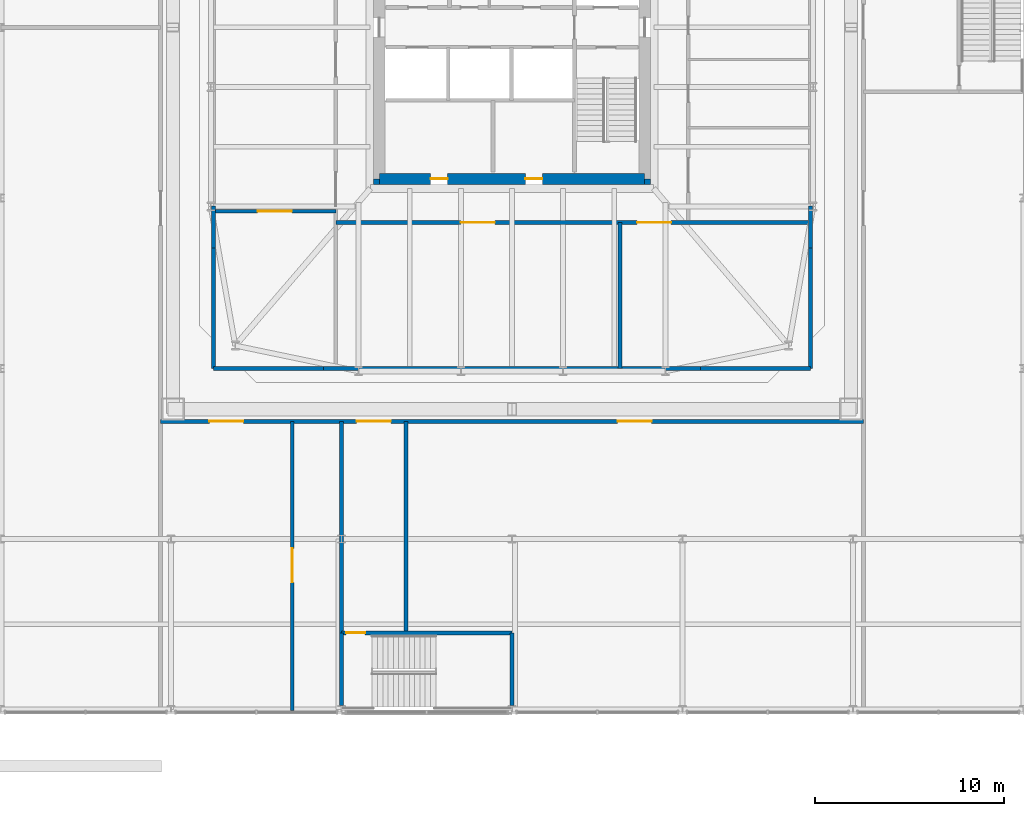
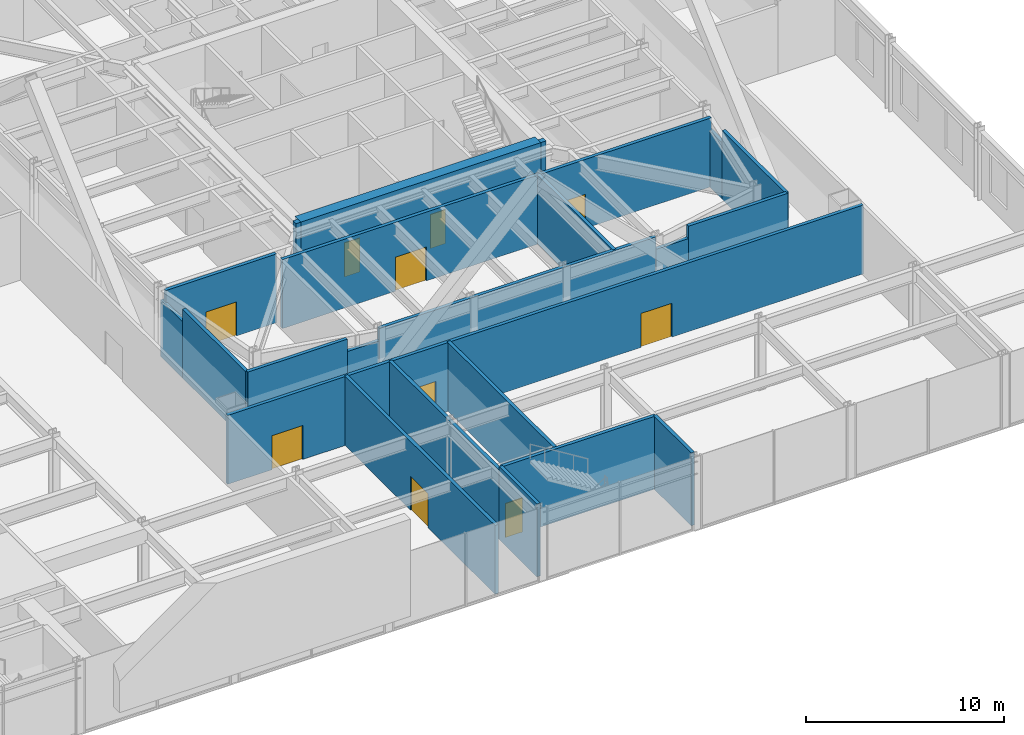
# One storey, part 24 of 32: 22 walls, 10 doors, 10 openings.
"""IFC4 building model written with IfcOpenShell, lengths in metres."""

from ifc_helpers import new_model, si_unit, direction, frame, frame_2d, origin, place, context, subcontext, project, spatial, rectangle, extrude, material, layer, layer_set, type_object, element, fill, save


model = new_model("IFC4")

# Units and contexts
model_context = context("Model", 3, precision=1e-05, world=origin(), true_north=direction((0.0, 1.0)))
body_context = subcontext(model_context, "Body", "Model", "MODEL_VIEW")
ifc_project = project(units=[si_unit("LENGTHUNIT", "METRE"), si_unit("AREAUNIT", "SQUARE_METRE"), si_unit("VOLUMEUNIT", "CUBIC_METRE"), si_unit("PLANEANGLEUNIT", "RADIAN"), si_unit("MASSUNIT", "GRAM", prefix="KILO")], contexts=[model_context])

# Site, building, storey
site_placement = place(None, origin())
site = spatial("IfcSite", under=ifc_project, at=site_placement, CompositionType="ELEMENT")
building_placement = place(site_placement, origin())
building = spatial("IfcBuilding", under=site, at=building_placement, Name="Iwan Alto Co-Living Towers", CompositionType="ELEMENT")
storey_placement = place(building_placement, frame((0.0, 0.0, 6.0)))
storey = spatial("IfcBuildingStorey", under=building, at=storey_placement, Name="L01", CompositionType="ELEMENT", Elevation=6.0)

# Wall, openings, doors
ifc_material_1 = material(Name="Concrete block masonry f*p 10 MPa", Category="masonry")
ifc_layer_1 = layer(ifc_material_1, 0.199951171875)
ifc_layer_set_1 = layer_set([ifc_layer_1], Name="PODIUM INTERNAL WALL 200")
wall_type_1 = type_object("IfcWallType", Name="PODIUM INTERNAL WALL 200", PredefinedType="SOLIDWALL", material=ifc_layer_set_1)
wall_1_placement = place(storey_placement, frame((44.449951171875, -20.800048828125, 0.0), z_axis=(0.0, 0.0, 1.0), x_axis=(1.0, 0.0, 0.0)))
wall_1 = element("IfcWall", 1, at=wall_1_placement, inside=storey, type_object=wall_type_1, Name="Partition L01", PredefinedType="SOLIDWALL", context=body_context, shape_type="SweptSolid", body=[
    extrude(rectangle(XDim=37.10009765625, YDim=0.199951171875, at=frame_2d((18.550048828125, 0.0))), origin(), (0.0, 0.0, 1.0), 4.25),
])
opening_1_placement = place(wall_1_placement, frame((2.574951171875, 0.0, 0.0)))
opening_1 = element("IfcOpeningElement", 2, at=opening_1_placement, cuts=wall_1, Name="Opening D9", PredefinedType="OPENING", context=body_context, shape_type="SweptSolid", body=[
    extrude(rectangle(XDim=1.800048828125, YDim=2.10009765625, at=frame_2d((0.89990234375, 1.050048828125))), frame((0.0, 0.10986328125, 0.0), z_axis=(0.0, -1.0, 0.0), x_axis=(1.0, 0.0, 0.0)), (0.0, 0.0, 1.0), 0.219970703125),
])
opening_2_placement = place(wall_1_placement, frame((24.125, 0.0, 0.0)))
opening_2 = element("IfcOpeningElement", 3, at=opening_2_placement, cuts=wall_1, Name="Opening D9", PredefinedType="OPENING", context=body_context, shape_type="SweptSolid", body=[
    extrude(rectangle(XDim=1.800048828125, YDim=2.10009765625, at=frame_2d((0.89990234375, 1.050048828125))), frame((0.0, 0.10986328125, 0.0), z_axis=(0.0, -1.0, 0.0), x_axis=(1.0, 0.0, 0.0)), (0.0, 0.0, 1.0), 0.219970703125),
])
opening_3_placement = place(wall_1_placement, frame((10.35009765625, 0.0, 0.0)))
opening_3 = element("IfcOpeningElement", 4, at=opening_3_placement, cuts=wall_1, Name="Opening D9", PredefinedType="OPENING", context=body_context, shape_type="SweptSolid", body=[
    extrude(rectangle(XDim=1.800048828125, YDim=2.10009765625, at=frame_2d((0.89990234375, 1.050048828125))), frame((0.0, 0.10986328125, 0.0), z_axis=(0.0, -1.0, 0.0), x_axis=(1.0, 0.0, 0.0)), (0.0, 0.0, 1.0), 0.219970703125),
])
ifc_material_2 = material(Name="Steel frame with timber leaf", Category="steel")
door_type_1 = type_object("IfcDoorType", Name="LOUNGE DOOR FD30S 1800X2100", OperationType="DOUBLE_DOOR_SINGLE_SWING", PredefinedType="DOOR", material=ifc_material_2)
door_1_placement = place(opening_1_placement, frame((1.800048828125, 0.0, 0.0), z_axis=(0.0, 0.0, 1.0), x_axis=(-1.0, 0.0, 0.0)))
door_1 = element("IfcDoor", 5, at=door_1_placement, inside=storey, type_object=door_type_1, Name="Residents' storage lockers door L01", OperationType="DOUBLE_DOOR_SINGLE_SWING", OverallHeight=2.10009765625, OverallWidth=1.800048828125, PredefinedType="DOOR", context=body_context, shape_type="SweptSolid", body=[
    extrude(rectangle(XDim=1.800048828125, YDim=2.10009765625, at=frame_2d((0.89990234375, 1.050048828125))), frame((0.0, 0.02490234375, 0.0), z_axis=(0.0, -1.0, 0.0), x_axis=(1.0, 0.0, 0.0)), (0.0, 0.0, 1.0), 0.050048828125),
])
fill(opening_1, door_1)
door_2_placement = place(opening_2_placement, frame((1.800048828125, 0.0, 0.0), z_axis=(0.0, 0.0, 1.0), x_axis=(-1.0, 0.0, 0.0)))
door_2 = element("IfcDoor", 6, at=door_2_placement, inside=storey, type_object=door_type_1, Name="Open-plan management office door L01", OperationType="DOUBLE_DOOR_SINGLE_SWING", OverallHeight=2.10009765625, OverallWidth=1.800048828125, PredefinedType="DOOR", context=body_context, shape_type="SweptSolid", body=[
    extrude(rectangle(XDim=1.800048828125, YDim=2.10009765625, at=frame_2d((0.89990234375, 1.050048828125))), frame((0.0, 0.02490234375, 0.0), z_axis=(0.0, -1.0, 0.0), x_axis=(1.0, 0.0, 0.0)), (0.0, 0.0, 1.0), 0.050048828125),
])
fill(opening_2, door_2)
door_3_placement = place(opening_3_placement, frame((1.800048828125, 0.0, 0.0), z_axis=(0.0, 0.0, 1.0), x_axis=(-1.0, 0.0, 0.0)))
door_3 = element("IfcDoor", 7, at=door_3_placement, inside=storey, type_object=door_type_1, Name="Stair lobby door L01", OperationType="DOUBLE_DOOR_SINGLE_SWING", OverallHeight=2.10009765625, OverallWidth=1.800048828125, PredefinedType="DOOR", context=body_context, shape_type="SweptSolid", body=[
    extrude(rectangle(XDim=1.800048828125, YDim=2.10009765625, at=frame_2d((0.89990234375, 1.050048828125))), frame((0.0, 0.02490234375, 0.0), z_axis=(0.0, -1.0, 0.0), x_axis=(1.0, 0.0, 0.0)), (0.0, 0.0, 1.0), 0.050048828125),
])
fill(opening_3, door_3)

# Wall
wall_2_placement = place(storey_placement, frame((47.25, -18.0, 0.0), z_axis=(0.0, 0.0, 1.0), x_axis=(1.0, 0.0, 0.0)))
element("IfcWall", 8, at=wall_2_placement, inside=storey, type_object=wall_type_1, Name="Partition L01", PredefinedType="SOLIDWALL", context=body_context, shape_type="SweptSolid", body=[
    extrude(rectangle(XDim=5.79296875, YDim=0.199951171875, at=frame_2d((2.896484375, 0.0))), origin(), (0.0, 0.0, 1.0), 4.25),
])

# Wall, openings, doors
wall_3_placement = place(storey_placement, frame((53.699951171875, -10.300048828125, 0.0), z_axis=(0.0, 0.0, 1.0), x_axis=(1.0, 0.0, 0.0)))
wall_3 = element("IfcWall", 9, at=wall_3_placement, inside=storey, type_object=wall_type_1, Name="Partition L01", PredefinedType="SOLIDWALL", context=body_context, shape_type="SweptSolid", body=[
    extrude(rectangle(XDim=25.050048828125, YDim=0.199951171875, at=frame_2d((12.52490234375, 0.0))), origin(), (0.0, 0.0, 1.0), 4.25),
])
opening_4_placement = place(wall_3_placement, frame((6.60009765625, 0.0, 0.0)))
opening_4 = element("IfcOpeningElement", 10, at=opening_4_placement, cuts=wall_3, Name="Opening D9", PredefinedType="OPENING", context=body_context, shape_type="SweptSolid", body=[
    extrude(rectangle(XDim=1.800048828125, YDim=2.10009765625, at=frame_2d((0.89990234375, 1.050048828125))), frame((0.0, 0.10986328125, 0.0), z_axis=(0.0, -1.0, 0.0), x_axis=(1.0, 0.0, 0.0)), (0.0, 0.0, 1.0), 0.219970703125),
])
opening_5_placement = place(wall_3_placement, frame((15.89990234375, 0.0, 0.0)))
opening_5 = element("IfcOpeningElement", 11, at=opening_5_placement, cuts=wall_3, Name="Opening D9", PredefinedType="OPENING", context=body_context, shape_type="SweptSolid", body=[
    extrude(rectangle(XDim=1.800048828125, YDim=2.10009765625, at=frame_2d((0.89990234375, 1.050048828125))), frame((0.0, 0.10986328125, 0.0), z_axis=(0.0, -1.0, 0.0), x_axis=(1.0, 0.0, 0.0)), (0.0, 0.0, 1.0), 0.219970703125),
])
door_4_placement = place(opening_4_placement, frame((1.800048828125, 0.0, 0.0), z_axis=(0.0, 0.0, 1.0), x_axis=(-1.0, 0.0, 0.0)))
door_4 = element("IfcDoor", 12, at=door_4_placement, inside=storey, type_object=door_type_1, Name="Co-working zone door L01", OperationType="DOUBLE_DOOR_SINGLE_SWING", OverallHeight=2.10009765625, OverallWidth=1.800048828125, PredefinedType="DOOR", context=body_context, shape_type="SweptSolid", body=[
    extrude(rectangle(XDim=1.800048828125, YDim=2.10009765625, at=frame_2d((0.89990234375, 1.050048828125))), frame((0.0, 0.02490234375, 0.0), z_axis=(0.0, -1.0, 0.0), x_axis=(1.0, 0.0, 0.0)), (0.0, 0.0, 1.0), 0.050048828125),
])
fill(opening_4, door_4)
door_5_placement = place(opening_5_placement, frame((1.800048828125, 0.0, 0.0), z_axis=(0.0, 0.0, 1.0), x_axis=(-1.0, 0.0, 0.0)))
door_5 = element("IfcDoor", 13, at=door_5_placement, inside=storey, type_object=door_type_1, Name="Meeting room door L01", OperationType="DOUBLE_DOOR_SINGLE_SWING", OverallHeight=2.10009765625, OverallWidth=1.800048828125, PredefinedType="DOOR", context=body_context, shape_type="SweptSolid", body=[
    extrude(rectangle(XDim=1.800048828125, YDim=2.10009765625, at=frame_2d((0.89990234375, 1.050048828125))), frame((0.0, 0.02490234375, 0.0), z_axis=(0.0, -1.0, 0.0), x_axis=(1.0, 0.0, 0.0)), (0.0, 0.0, 1.0), 0.050048828125),
])
fill(opening_5, door_5)

# Wall, opening, door
wall_4_placement = place(storey_placement, frame((47.25, -9.699951171875, 0.0), z_axis=(0.0, 0.0, 1.0), x_axis=(1.0, 0.0, 0.0)))
wall_4 = element("IfcWall", 14, at=wall_4_placement, inside=storey, type_object=wall_type_1, Name="Partition L01", PredefinedType="SOLIDWALL", context=body_context, shape_type="SweptSolid", body=[
    extrude(rectangle(XDim=6.449951171875, YDim=0.199951171875, at=frame_2d((3.22509765625, 0.0))), origin(), (0.0, 0.0, 1.0), 4.25),
])
opening_6_placement = place(wall_4_placement, frame((2.324951171875, 0.0, 0.0)))
opening_6 = element("IfcOpeningElement", 15, at=opening_6_placement, cuts=wall_4, Name="Opening D9", PredefinedType="OPENING", context=body_context, shape_type="SweptSolid", body=[
    extrude(rectangle(XDim=1.800048828125, YDim=2.10009765625, at=frame_2d((0.89990234375, 1.050048828125))), frame((0.0, 0.10986328125, 0.0), z_axis=(0.0, -1.0, 0.0), x_axis=(1.0, 0.0, 0.0)), (0.0, 0.0, 1.0), 0.219970703125),
])
door_6_placement = place(opening_6_placement, origin())
door_6 = element("IfcDoor", 16, at=door_6_placement, inside=storey, type_object=door_type_1, Name="Meeting room door L01", OperationType="DOUBLE_DOOR_SINGLE_SWING", OverallHeight=2.10009765625, OverallWidth=1.800048828125, PredefinedType="DOOR", context=body_context, shape_type="SweptSolid", body=[
    extrude(rectangle(XDim=1.800048828125, YDim=2.10009765625, at=frame_2d((0.89990234375, 1.050048828125))), frame((0.0, 0.02490234375, 0.0), z_axis=(0.0, -1.0, 0.0), x_axis=(1.0, 0.0, 0.0)), (0.0, 0.0, 1.0), 0.050048828125),
])
fill(opening_6, door_6)

# Walls
wall_5_placement = place(storey_placement, frame((78.75, -18.0, 0.0), z_axis=(0.0, 0.0, 1.0), x_axis=(0.0, 1.0, 0.0)))
element("IfcWall", 17, at=wall_5_placement, inside=storey, type_object=wall_type_1, Name="Partition L01", PredefinedType="SOLIDWALL", context=body_context, shape_type="SweptSolid", body=[
    extrude(rectangle(XDim=6.361083984375, YDim=0.199951171875, at=frame_2d((3.1806640625, 0.0))), origin(), (0.0, 0.0, 1.0), 4.25),
])
wall_6_placement = place(storey_placement, frame((68.699951171875, -18.0, 0.0), z_axis=(0.0, 0.0, 1.0), x_axis=(0.0, 1.0, 0.0)))
element("IfcWall", 18, at=wall_6_placement, inside=storey, type_object=wall_type_1, Name="Partition L01", PredefinedType="SOLIDWALL", context=body_context, shape_type="SweptSolid", body=[
    extrude(rectangle(XDim=7.699951171875, YDim=0.199951171875, at=frame_2d((3.85009765625, 0.0))), origin(), (0.0, 0.0, 1.0), 4.25),
])
for number, where, z_axis, x_axis, name in (
    (19, (57.39990234375, -31.9599609375, 0.0), (0.0, 0.0, 1.0), (0.0, 1.0, 0.0), "Partition L01"),
    (20, (54.0, -31.9599609375, 0.0), (0.0, 0.0, 1.0), (0.0, 1.0, 0.0), "Partition L01"),
):
    element("IfcWall", number, at=place(storey_placement, frame(where, z_axis=z_axis, x_axis=x_axis)), inside=storey, type_object=wall_type_1, Name=name, PredefinedType="SOLIDWALL", context=body_context, shape_type="SweptSolid", body=[
        extrude(rectangle(XDim=11.159912109375, YDim=0.199951171875, at=frame_2d((5.580078125, 0.0))), origin(), (0.0, 0.0, 1.0), 4.25),
    ])

# Wall, opening, door
wall_7_placement = place(storey_placement, frame((51.39990234375, -36.050048828125, 0.0), z_axis=(0.0, 0.0, 1.0), x_axis=(0.0, 1.0, 0.0)))
wall_7 = element("IfcWall", 21, at=wall_7_placement, inside=storey, type_object=wall_type_1, Name="Partition L01", PredefinedType="SOLIDWALL", context=body_context, shape_type="SweptSolid", body=[
    extrude(rectangle(XDim=15.25, YDim=0.199951171875, at=frame_2d((7.625, 0.0))), origin(), (0.0, 0.0, 1.0), 4.25),
])
opening_7_placement = place(wall_7_placement, frame((6.75, 0.0, 0.0)))
opening_7 = element("IfcOpeningElement", 22, at=opening_7_placement, cuts=wall_7, Name="Opening D9", PredefinedType="OPENING", context=body_context, shape_type="SweptSolid", body=[
    extrude(rectangle(XDim=1.800048828125, YDim=2.10009765625, at=frame_2d((0.89990234375, 1.050048828125))), frame((0.0, 0.10986328125, 0.0), z_axis=(0.0, -1.0, 0.0), x_axis=(1.0, 0.0, 0.0)), (0.0, 0.0, 1.0), 0.219970703125),
])
door_7_placement = place(opening_7_placement, origin())
door_7 = element("IfcDoor", 23, at=door_7_placement, inside=storey, type_object=door_type_1, Name="Laundry door L01", OperationType="DOUBLE_DOOR_SINGLE_SWING", OverallHeight=2.10009765625, OverallWidth=1.800048828125, PredefinedType="DOOR", context=body_context, shape_type="SweptSolid", body=[
    extrude(rectangle(XDim=1.800048828125, YDim=2.10009765625, at=frame_2d((0.89990234375, 1.050048828125))), frame((0.0, 0.02490234375, 0.0), z_axis=(0.0, -1.0, 0.0), x_axis=(1.0, 0.0, 0.0)), (0.0, 0.0, 1.0), 0.050048828125),
])
fill(opening_7, door_7)

# Walls
wall_8_placement = place(storey_placement, frame((47.25, -18.0, 0.0), z_axis=(0.0, 0.0, 1.0), x_axis=(0.0, 1.0, 0.0)))
element("IfcWall", 24, at=wall_8_placement, inside=storey, type_object=wall_type_1, Name="Partition L01", PredefinedType="SOLIDWALL", context=body_context, shape_type="SweptSolid", body=[
    extrude(rectangle(XDim=6.361083984375, YDim=0.199951171875, at=frame_2d((3.1806640625, 0.0))), origin(), (0.0, 0.0, 1.0), 4.25),
])
wall_9_placement = place(storey_placement, frame((53.04296875, -18.0, 0.0), z_axis=(0.0, 0.0, 1.0), x_axis=(1.0, 0.0, 0.0)))
element("IfcWall", 25, at=wall_9_placement, inside=storey, type_object=wall_type_1, Name="Partition L01", PredefinedType="SOLIDWALL", context=body_context, shape_type="SweptSolid", body=[
    extrude(rectangle(XDim=1.884033203125, YDim=0.199951171875, at=frame_2d((0.94189453125, 0.0))), origin(), (0.0, 0.0, 1.0), 3.488037109375),
])
wall_10_placement = place(storey_placement, frame((54.927001953125, -18.0, 0.0), z_axis=(0.0, 0.0, 1.0), x_axis=(1.0, 0.0, 0.0)))
element("IfcWall", 26, at=wall_10_placement, inside=storey, type_object=wall_type_1, Name="Partition L01", PredefinedType="SOLIDWALL", context=body_context, shape_type="SweptSolid", body=[
    extrude(rectangle(XDim=16.14599609375, YDim=0.199951171875, at=frame_2d((8.072998046875, 0.0))), origin(), (0.0, 0.0, 1.0), 4.25),
])
wall_11_placement = place(storey_placement, frame((71.072998046875, -18.0, 0.0), z_axis=(0.0, 0.0, 1.0), x_axis=(1.0, 0.0, 0.0)))
element("IfcWall", 27, at=wall_11_placement, inside=storey, type_object=wall_type_1, Name="Partition L01", PredefinedType="SOLIDWALL", context=body_context, shape_type="SweptSolid", body=[
    extrude(rectangle(XDim=1.884033203125, YDim=0.199951171875, at=frame_2d((0.94189453125, 0.0))), origin(), (0.0, 0.0, 1.0), 3.488037109375),
])
wall_12_placement = place(storey_placement, frame((72.95703125, -18.0, 0.0), z_axis=(0.0, 0.0, 1.0), x_axis=(1.0, 0.0, 0.0)))
element("IfcWall", 28, at=wall_12_placement, inside=storey, type_object=wall_type_1, Name="Partition L01", PredefinedType="SOLIDWALL", context=body_context, shape_type="SweptSolid", body=[
    extrude(rectangle(XDim=5.79296875, YDim=0.199951171875, at=frame_2d((2.896484375, 0.0))), origin(), (0.0, 0.0, 1.0), 4.25),
])
for number, where, z_axis, x_axis, name in (
    (29, (78.75, -11.638916015625, 0.0), (0.0, 0.0, 1.0), (0.0, 1.0, 0.0), "Partition L01"),
    (30, (47.25, -11.638916015625, 0.0), (0.0, 0.0, 1.0), (0.0, 1.0, 0.0), "Partition L01"),
):
    element("IfcWall", number, at=place(storey_placement, frame(where, z_axis=z_axis, x_axis=x_axis)), inside=storey, type_object=wall_type_1, Name=name, PredefinedType="SOLIDWALL", context=body_context, shape_type="SweptSolid", body=[
        extrude(rectangle(XDim=2.2119140625, YDim=0.199951171875, at=frame_2d((1.10595703125, 0.0))), origin(), (0.0, 0.0, 1.0), 3.488037109375),
    ])

# Wall, opening, door
ifc_material_3 = material(Name="Concrete f'c 70 MPa", Category="concrete")
ifc_layer_2 = layer(ifc_material_3, 0.199951171875)
ifc_layer_set_2 = layer_set([ifc_layer_2], Name="SHAFT WALL 200")
wall_type_2 = type_object("IfcWallType", Name="SHAFT WALL 200", PredefinedType="SOLIDWALL", material=ifc_layer_set_2)
wall_13_placement = place(storey_placement, frame((54.0, -31.9599609375, 0.0), z_axis=(0.0, 0.0, 1.0), x_axis=(1.0, 0.0, 0.0)))
wall_13 = element("IfcWall", 31, at=wall_13_placement, inside=storey, type_object=wall_type_2, Name="Shaft wall L01", PredefinedType="SOLIDWALL", context=body_context, shape_type="SweptSolid", body=[
    extrude(rectangle(XDim=9.0, YDim=0.199951171875, at=frame_2d((4.5, 0.0))), origin(), (0.0, 0.0, 1.0), 4.5),
])
opening_8_placement = place(wall_13_placement, frame((0.25, 0.0, 0.0)))
opening_8 = element("IfcOpeningElement", 32, at=opening_8_placement, cuts=wall_13, Name="Opening D5", PredefinedType="OPENING", context=body_context, shape_type="SweptSolid", body=[
    extrude(rectangle(XDim=1.0, YDim=2.10009765625, at=frame_2d((0.5, 1.050048828125))), frame((0.0, 0.10986328125, 0.0), z_axis=(0.0, -1.0, 0.0), x_axis=(1.0, 0.0, 0.0)), (0.0, 0.0, 1.0), 0.219970703125),
])
ifc_material_4 = material(Name="Steel frame with timber leaf", Category="steel")
door_type_2 = type_object("IfcDoorType", Name="STAIR DOOR FD120S 1000X2100", OperationType="SINGLE_SWING_LEFT", PredefinedType="DOOR", material=ifc_material_4)
door_8_placement = place(opening_8_placement, frame((1.0, 0.0, 0.0), z_axis=(0.0, 0.0, 1.0), x_axis=(-1.0, 0.0, 0.0)))
door_8 = element("IfcDoor", 33, at=door_8_placement, inside=storey, type_object=door_type_2, Name="Stair PS6 door L01", OperationType="SINGLE_SWING_RIGHT", OverallHeight=2.10009765625, OverallWidth=1.0, PredefinedType="DOOR", context=body_context, shape_type="SweptSolid", body=[
    extrude(rectangle(XDim=1.0, YDim=2.10009765625, at=frame_2d((0.5, 1.050048828125))), frame((0.0, 0.02490234375, 0.0), z_axis=(0.0, -1.0, 0.0), x_axis=(1.0, 0.0, 0.0)), (0.0, 0.0, 1.0), 0.050048828125),
])
fill(opening_8, door_8)

# Walls
for number, where, z_axis, x_axis, name in (
    (34, (63.0, -35.78271484375, 0.0), (0.0, 0.0, 1.0), (0.0, 1.0, 0.0), "Shaft wall L01"),
    (35, (54.0, -35.78271484375, 0.0), (0.0, 0.0, 1.0), (0.0, 1.0, 0.0), "Shaft wall L01"),
):
    element("IfcWall", number, at=place(storey_placement, frame(where, z_axis=z_axis, x_axis=x_axis)), inside=storey, type_object=wall_type_2, Name=name, PredefinedType="SOLIDWALL", context=body_context, shape_type="SweptSolid", body=[
        extrude(rectangle(XDim=3.82275390625, YDim=0.199951171875, at=frame_2d((1.911376953125, 0.0))), origin(), (0.0, 0.0, 1.0), 4.5),
    ])
ifc_material_5 = material(Name="Concrete f'c 70 MPa", Category="concrete")
ifc_layer_3 = layer(ifc_material_5, 0.300048828125)
ifc_layer_set_3 = layer_set([ifc_layer_3], Name="T2 CORE CORNER FILL 300")
wall_type_3 = type_object("IfcWallType", Name="T2 CORE CORNER FILL 300", PredefinedType="SOLIDWALL", material=ifc_layer_set_3)
for number, where, z_axis, x_axis, name in (
    (36, (55.699951171875, -8.14990234375, 0.0), (0.0, 0.0, 1.0), (1.0, 0.0, 0.0), "T2 core corner SW L01"),
    (37, (70.0, -8.14990234375, 0.0), (0.0, 0.0, 1.0), (1.0, 0.0, 0.0), "T2 core corner SE L01"),
):
    element("IfcWall", number, at=place(storey_placement, frame(where, z_axis=z_axis, x_axis=x_axis)), inside=storey, type_object=wall_type_3, Name=name, PredefinedType="SOLIDWALL", context=body_context, shape_type="SweptSolid", body=[
        extrude(rectangle(XDim=0.300048828125, YDim=0.300048828125, at=frame_2d((0.14990234375, 0.0))), origin(), (0.0, 0.0, 1.0), 4.5),
    ])

# Wall, openings, doors
ifc_material_6 = material(Name="Concrete f'c 70 MPa", Category="concrete")
ifc_layer_4 = layer(ifc_material_6, 0.60009765625)
ifc_layer_set_4 = layer_set([ifc_layer_4], Name="T2 CORE WALL 600")
wall_type_4 = type_object("IfcWallType", Name="T2 CORE WALL 600", PredefinedType="SHEAR", material=ifc_layer_set_4)
wall_14_placement = place(storey_placement, frame((56.0, -8.0, 0.0), z_axis=(0.0, 0.0, 1.0), x_axis=(1.0, 0.0, 0.0)))
wall_14 = element("IfcWall", 38, at=wall_14_placement, inside=storey, type_object=wall_type_4, Name="T2 core wall S L01", PredefinedType="SHEAR", context=body_context, shape_type="SweptSolid", body=[
    extrude(rectangle(XDim=14.0, YDim=0.60009765625, at=frame_2d((7.0, 0.0))), origin(), (0.0, 0.0, 1.0), 4.5),
])
opening_9_placement = place(wall_14_placement, frame((2.699951171875, 0.0, 0.0)))
opening_9 = element("IfcOpeningElement", 39, at=opening_9_placement, cuts=wall_14, Name="Opening D8", PredefinedType="OPENING", context=body_context, shape_type="SweptSolid", body=[
    extrude(rectangle(XDim=0.89990234375, YDim=2.10009765625, at=frame_2d((0.449951171875, 1.050048828125))), frame((0.0, 0.31005859375, 0.0), z_axis=(0.0, -1.0, 0.0), x_axis=(1.0, 0.0, 0.0)), (0.0, 0.0, 1.0), 0.6201171875),
])
opening_10_placement = place(wall_14_placement, frame((7.699951171875, 0.0, 0.0)))
opening_10 = element("IfcOpeningElement", 40, at=opening_10_placement, cuts=wall_14, Name="Opening D8", PredefinedType="OPENING", context=body_context, shape_type="SweptSolid", body=[
    extrude(rectangle(XDim=0.89990234375, YDim=2.10009765625, at=frame_2d((0.449951171875, 1.050048828125))), frame((0.0, 0.31005859375, 0.0), z_axis=(0.0, -1.0, 0.0), x_axis=(1.0, 0.0, 0.0)), (0.0, 0.0, 1.0), 0.6201171875),
])
ifc_material_7 = material(Name="Steel frame with timber leaf", Category="steel")
door_type_3 = type_object("IfcDoorType", Name="RISER DOOR FD120 900X2100", OperationType="SINGLE_SWING_LEFT", PredefinedType="DOOR", material=ifc_material_7)
door_9_placement = place(opening_9_placement, origin())
door_9 = element("IfcDoor", 41, at=door_9_placement, inside=storey, type_object=door_type_3, Name="Refuse room core door L01", OperationType="SINGLE_SWING_LEFT", OverallHeight=2.10009765625, OverallWidth=0.89990234375, PredefinedType="DOOR", context=body_context, shape_type="SweptSolid", body=[
    extrude(rectangle(XDim=0.89990234375, YDim=2.10009765625, at=frame_2d((0.449951171875, 1.050048828125))), frame((0.0, 0.02490234375, 0.0), z_axis=(0.0, -1.0, 0.0), x_axis=(1.0, 0.0, 0.0)), (0.0, 0.0, 1.0), 0.050048828125),
])
fill(opening_9, door_9)
door_10_placement = place(opening_10_placement, origin())
door_10 = element("IfcDoor", 42, at=door_10_placement, inside=storey, type_object=door_type_3, Name="Telecom riser core door L01", OperationType="SINGLE_SWING_LEFT", OverallHeight=2.10009765625, OverallWidth=0.89990234375, PredefinedType="DOOR", context=body_context, shape_type="SweptSolid", body=[
    extrude(rectangle(XDim=0.89990234375, YDim=2.10009765625, at=frame_2d((0.449951171875, 1.050048828125))), frame((0.0, 0.02490234375, 0.0), z_axis=(0.0, -1.0, 0.0), x_axis=(1.0, 0.0, 0.0)), (0.0, 0.0, 1.0), 0.050048828125),
])
fill(opening_10, door_10)

save(model, "model.ifc")
